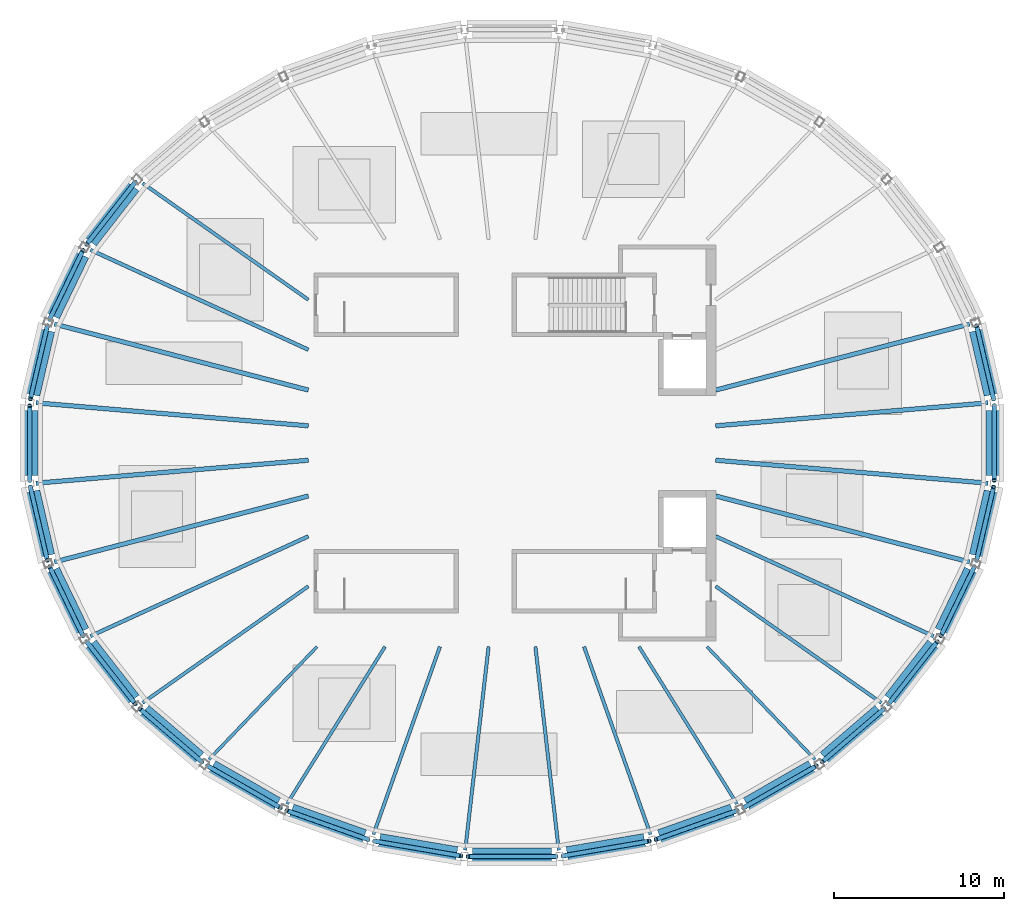
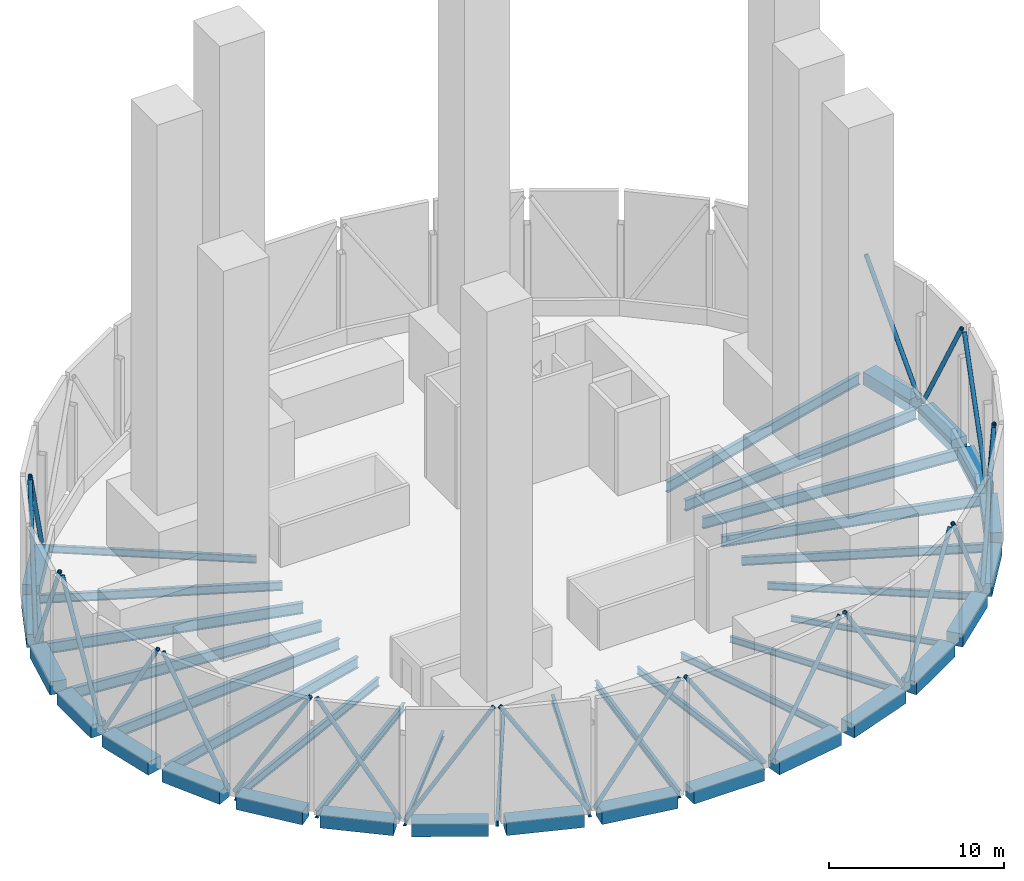
# One storey, part 3 of 7: 43 beams, 21 members.
"""IFC4 building model written with IfcOpenShell, lengths in metres."""

from ifc_helpers import new_model, si_unit, direction, frame, origin, origin_2d, place, context, subcontext, project, spatial, rectangle, hollow_circle, i_section, extrude, material, material_profile, profile_set, type_object, element, save


model = new_model("IFC4")

# Units and contexts
model_context = context("Model", 3, precision=1e-05, world=origin(), true_north=direction((0.0, 1.0)))
body_context = subcontext(model_context, "Body", "Model", "MODEL_VIEW")
ifc_project = project(units=[si_unit("LENGTHUNIT", "METRE"), si_unit("AREAUNIT", "SQUARE_METRE"), si_unit("VOLUMEUNIT", "CUBIC_METRE"), si_unit("PLANEANGLEUNIT", "RADIAN"), si_unit("MASSUNIT", "GRAM", prefix="KILO")], contexts=[model_context])

# Site, building, storey
site_placement = place(None, origin())
site = spatial("IfcSite", under=ifc_project, at=site_placement, CompositionType="ELEMENT")
building_placement = place(site_placement, origin())
building = spatial("IfcBuilding", under=site, at=building_placement, Name="Halqa Exchange Tower", CompositionType="ELEMENT")
storey_placement = place(building_placement, frame((0.0, 0.0, 349.300048828125)))
storey = spatial("IfcBuildingStorey", under=building, at=storey_placement, Name="Roof crown", CompositionType="ELEMENT", Elevation=349.300048828125)

# Members
ifc_material_1 = material(Name="Steel S355", Category="steel")
ifc_material_profile_1 = material_profile(ifc_material_1, hollow_circle(Radius=0.136474609375, WallThickness=0.01611328125, at=origin_2d()), Name="CHS 273x16")
ifc_profile_set_1 = profile_set([ifc_material_profile_1], Name="Steel S355")
member_type = type_object("IfcMemberType", Name="CROWN FRAME brace CHS 273x16", PredefinedType="BRACE", material=ifc_profile_set_1)
member_1_placement = place(storey_placement, frame((28.31982421875, 2.57958984375, 0.0), z_axis=(-0.111844853158, 0.482004533759, 0.869000781506), x_axis=(-0.974119033912, -0.22603563385, 0.0)))
element("IfcMember", 1, at=member_1_placement, inside=storey, type_object=member_type, Name="Crown frame brace 1.1", PredefinedType="BRACE", context=body_context, shape_type="SweptSolid", body=[
    extrude(hollow_circle(Radius=0.136474609375, WallThickness=0.01611328125, at=origin_2d()), origin(), (0.0, 0.0, 1.0), 8.975830078125),
])
member_2_placement = place(storey_placement, frame((-22.147705078125, 15.347412109375, 0.0), z_axis=(-0.315752772616, -0.405050890244, 0.858040769951), x_axis=(0.788678776102, -0.614805488041, 0.0)))
element("IfcMember", 2, at=member_2_placement, inside=storey, type_object=member_type, Name="Crown frame brace 1.13", PredefinedType="BRACE", context=body_context, shape_type="SweptSolid", body=[
    extrude(hollow_circle(Radius=0.136474609375, WallThickness=0.01611328125, at=origin_2d()), origin(), (0.0, 0.0, 1.0), 9.090576171875),
])
member_3_placement = place(storey_placement, frame((-25.217529296875, 11.344482421875, 7.800048828125), z_axis=(-0.218648714655, -0.452478361108, -0.864555418877), x_axis=(0.900387276879, -0.435089360516, 0.0)))
element("IfcMember", 3, at=member_3_placement, inside=storey, type_object=member_type, Name="Crown frame brace 1.14", PredefinedType="BRACE", context=body_context, shape_type="SweptSolid", body=[
    extrude(hollow_circle(Radius=0.136474609375, WallThickness=0.01611328125, at=origin_2d()), origin(), (0.0, 0.0, 1.0), 9.02197265625),
])
member_4_placement = place(storey_placement, frame((-27.31591796875, 6.906005859375, 0.0), z_axis=(-0.111844853158, -0.482004533759, 0.869000781506), x_axis=(0.974119033912, -0.22603563385, 0.0)))
element("IfcMember", 4, at=member_4_placement, inside=storey, type_object=member_type, Name="Crown frame brace 1.15", PredefinedType="BRACE", context=body_context, shape_type="SweptSolid", body=[
    extrude(hollow_circle(Radius=0.136474609375, WallThickness=0.01611328125, at=origin_2d()), origin(), (0.0, 0.0, 1.0), 8.975830078125),
])
member_5_placement = place(storey_placement, frame((-28.36279296875, 2.204345703125, 7.800048828125), z_axis=(0.0, -0.49205456304, -0.8705643612), x_axis=(1.0, 0.0, 0.0)))
element("IfcMember", 5, at=member_5_placement, inside=storey, type_object=member_type, Name="Crown frame brace 1.16", PredefinedType="BRACE", context=body_context, shape_type="SweptSolid", body=[
    extrude(hollow_circle(Radius=0.136474609375, WallThickness=0.01611328125, at=origin_2d()), origin(), (0.0, 0.0, 1.0), 8.959716796875),
])
member_6_placement = place(storey_placement, frame((-28.31982421875, -2.57958984375, 0.0), z_axis=(0.111844853158, -0.482004533759, 0.869000781506), x_axis=(0.974119033912, 0.22603563385, 0.0)))
element("IfcMember", 6, at=member_6_placement, inside=storey, type_object=member_type, Name="Crown frame brace 1.17", PredefinedType="BRACE", context=body_context, shape_type="SweptSolid", body=[
    extrude(hollow_circle(Radius=0.136474609375, WallThickness=0.01611328125, at=origin_2d()), origin(), (0.0, 0.0, 1.0), 8.975830078125),
])
member_7_placement = place(storey_placement, frame((-27.190185546875, -7.26220703125, 7.800048828125), z_axis=(0.218648714655, -0.452478361108, -0.864555418877), x_axis=(0.900387276879, 0.435089360516, 0.0)))
element("IfcMember", 7, at=member_7_placement, inside=storey, type_object=member_type, Name="Crown frame brace 1.18", PredefinedType="BRACE", context=body_context, shape_type="SweptSolid", body=[
    extrude(hollow_circle(Radius=0.136474609375, WallThickness=0.01611328125, at=origin_2d()), origin(), (0.0, 0.0, 1.0), 9.02197265625),
])
member_8_placement = place(storey_placement, frame((-25.01806640625, -11.665283203125, 0.0), z_axis=(0.315752772616, -0.405050890244, 0.858040769951), x_axis=(0.788678776102, 0.614805488041, 0.0)))
element("IfcMember", 8, at=member_8_placement, inside=storey, type_object=member_type, Name="Crown frame brace 1.19", PredefinedType="BRACE", context=body_context, shape_type="SweptSolid", body=[
    extrude(hollow_circle(Radius=0.136474609375, WallThickness=0.01611328125, at=origin_2d()), origin(), (0.0, 0.0, 1.0), 9.090576171875),
])
member_9_placement = place(storey_placement, frame((-21.886474609375, -15.62109375, 7.800048828125), z_axis=(0.399297965651, -0.342274414586, -0.850534749288), x_axis=(0.650812216448, 0.759238736447, 0.0)))
element("IfcMember", 9, at=member_9_placement, inside=storey, type_object=member_type, Name="Crown frame brace 1.20", PredefinedType="BRACE", context=body_context, shape_type="SweptSolid", body=[
    extrude(hollow_circle(Radius=0.136474609375, WallThickness=0.01611328125, at=origin_2d()), origin(), (0.0, 0.0, 1.0), 9.170654296875),
])
member_10_placement = place(storey_placement, frame((-17.915283203125, -18.97802734375, 0.0), z_axis=(0.466525248598, -0.267189094123, 0.843186919017), x_axis=(0.496984556947, 0.867759384943, 0.0)))
element("IfcMember", 10, at=member_10_placement, inside=storey, type_object=member_type, Name="Crown frame brace 1.21", PredefinedType="BRACE", context=body_context, shape_type="SweptSolid", body=[
    extrude(hollow_circle(Radius=0.136474609375, WallThickness=0.01611328125, at=origin_2d()), origin(), (0.0, 0.0, 1.0), 9.250732421875),
])
member_11_placement = place(storey_placement, frame((-13.255615234375, -21.607666015625, 7.800048828125), z_axis=(0.515512799121, -0.183016869218, -0.837108941252), x_axis=(0.334560791797, 0.942374170164, 0.0)))
element("IfcMember", 11, at=member_11_placement, inside=storey, type_object=member_type, Name="Crown frame brace 1.22", PredefinedType="BRACE", context=body_context, shape_type="SweptSolid", body=[
    extrude(hollow_circle(Radius=0.136474609375, WallThickness=0.01611328125, at=origin_2d()), origin(), (0.0, 0.0, 1.0), 9.31787109375),
])
member_12_placement = place(storey_placement, frame((-8.085693359375, -23.40869140625, 0.0), z_axis=(0.545249832877, -0.092961054721, 0.833103152108), x_axis=(0.168067416098, 0.985775503675, 0.0)))
element("IfcMember", 12, at=member_12_placement, inside=storey, type_object=member_type, Name="Crown frame brace 1.23", PredefinedType="BRACE", context=body_context, shape_type="SweptSolid", body=[
    extrude(hollow_circle(Radius=0.136474609375, WallThickness=0.01611328125, at=origin_2d()), origin(), (0.0, 0.0, 1.0), 9.362548828125),
])
member_13_placement = place(storey_placement, frame((-2.603515625, -24.31103515625, 7.800048828125), z_axis=(0.555216730171, 0.0, -0.831705706688), x_axis=(0.0, 1.0, 0.0)))
element("IfcMember", 13, at=member_13_placement, inside=storey, type_object=member_type, Name="Crown frame brace 1.24", PredefinedType="BRACE", context=body_context, shape_type="SweptSolid", body=[
    extrude(hollow_circle(Radius=0.136474609375, WallThickness=0.01611328125, at=origin_2d()), origin(), (0.0, 0.0, 1.0), 9.37841796875),
])
member_14_placement = place(storey_placement, frame((2.980712890625, -24.279052734375, 0.0), z_axis=(0.545249832877, 0.092961054721, 0.833103152108), x_axis=(-0.168067416098, 0.985775503675, 0.0)))
element("IfcMember", 14, at=member_14_placement, inside=storey, type_object=member_type, Name="Crown frame brace 1.25", PredefinedType="BRACE", context=body_context, shape_type="SweptSolid", body=[
    extrude(hollow_circle(Radius=0.136474609375, WallThickness=0.01611328125, at=origin_2d()), origin(), (0.0, 0.0, 1.0), 9.362548828125),
])
member_15_placement = place(storey_placement, frame((8.4521484375, -23.31298828125, 7.800048828125), z_axis=(0.515512799121, 0.183016869218, -0.837108941252), x_axis=(-0.334560791797, 0.942374170164, 0.0)))
element("IfcMember", 15, at=member_15_placement, inside=storey, type_object=member_type, Name="Crown frame brace 1.26", PredefinedType="BRACE", context=body_context, shape_type="SweptSolid", body=[
    extrude(hollow_circle(Radius=0.136474609375, WallThickness=0.01611328125, at=origin_2d()), origin(), (0.0, 0.0, 1.0), 9.31787109375),
])
member_16_placement = place(storey_placement, frame((13.599609375, -21.44970703125, 0.0), z_axis=(0.466525248598, 0.267189094123, 0.843186919017), x_axis=(-0.496984556947, 0.867759384943, 0.0)))
element("IfcMember", 16, at=member_16_placement, inside=storey, type_object=member_type, Name="Crown frame brace 1.27", PredefinedType="BRACE", context=body_context, shape_type="SweptSolid", body=[
    extrude(hollow_circle(Radius=0.136474609375, WallThickness=0.01611328125, at=origin_2d()), origin(), (0.0, 0.0, 1.0), 9.250732421875),
])
member_17_placement = place(storey_placement, frame((18.224609375, -18.760009765625, 7.800048828125), z_axis=(0.399297965651, 0.342274414586, -0.850534749288), x_axis=(-0.650812216448, 0.759238736447, 0.0)))
element("IfcMember", 17, at=member_17_placement, inside=storey, type_object=member_type, Name="Crown frame brace 1.28", PredefinedType="BRACE", context=body_context, shape_type="SweptSolid", body=[
    extrude(hollow_circle(Radius=0.136474609375, WallThickness=0.01611328125, at=origin_2d()), origin(), (0.0, 0.0, 1.0), 9.170654296875),
])
member_18_placement = place(storey_placement, frame((22.147705078125, -15.347412109375, 0.0), z_axis=(0.315752772616, 0.405050890244, 0.858040769951), x_axis=(-0.788678776102, 0.614805488041, 0.0)))
element("IfcMember", 18, at=member_18_placement, inside=storey, type_object=member_type, Name="Crown frame brace 1.29", PredefinedType="BRACE", context=body_context, shape_type="SweptSolid", body=[
    extrude(hollow_circle(Radius=0.136474609375, WallThickness=0.01611328125, at=origin_2d()), origin(), (0.0, 0.0, 1.0), 9.090576171875),
])
member_19_placement = place(storey_placement, frame((25.217529296875, -11.344482421875, 7.800048828125), z_axis=(0.218648714655, 0.452478361108, -0.864555418877), x_axis=(-0.900387276879, 0.435089360516, 0.0)))
element("IfcMember", 19, at=member_19_placement, inside=storey, type_object=member_type, Name="Crown frame brace 1.30", PredefinedType="BRACE", context=body_context, shape_type="SweptSolid", body=[
    extrude(hollow_circle(Radius=0.136474609375, WallThickness=0.01611328125, at=origin_2d()), origin(), (0.0, 0.0, 1.0), 9.02197265625),
])
member_20_placement = place(storey_placement, frame((27.31591796875, -6.906005859375, 0.0), z_axis=(0.111844853158, 0.482004533759, 0.869000781506), x_axis=(-0.974119033912, 0.22603563385, 0.0)))
element("IfcMember", 20, at=member_20_placement, inside=storey, type_object=member_type, Name="Crown frame brace 1.31", PredefinedType="BRACE", context=body_context, shape_type="SweptSolid", body=[
    extrude(hollow_circle(Radius=0.136474609375, WallThickness=0.01611328125, at=origin_2d()), origin(), (0.0, 0.0, 1.0), 8.975830078125),
])
member_21_placement = place(storey_placement, frame((28.36279296875, -2.204345703125, 7.800048828125), z_axis=(0.0, 0.49205456304, -0.8705643612), x_axis=(-1.0, 0.0, 0.0)))
element("IfcMember", 21, at=member_21_placement, inside=storey, type_object=member_type, Name="Crown frame brace 1.32", PredefinedType="BRACE", context=body_context, shape_type="SweptSolid", body=[
    extrude(hollow_circle(Radius=0.136474609375, WallThickness=0.01611328125, at=origin_2d()), origin(), (0.0, 0.0, 1.0), 8.959716796875),
])

# Beams
ifc_material_profile_2 = material_profile(ifc_material_1, i_section(OverallWidth=0.179931640625, OverallDepth=0.39990234375, WebThickness=0.008544921875, FlangeThickness=0.013427734375, FilletRadius=0.02099609375, at=origin_2d()), Name="IPE 400")
ifc_profile_set_2 = profile_set([ifc_material_profile_2], Name="Steel S355")
beam_type_1 = type_object("IfcBeamType", Name="Floor beam IPE 400", PredefinedType="BEAM", material=ifc_profile_set_2)
for number, where, z_axis, x_axis, name in (
    (22, (-11.46240234375, -11.9716796875, -0.550048828125), (-0.691577100122, -0.722302647501, 0.0), (0.722302647501, -0.691577100122, 0.0), "Radial beam 21"),
    (23, (11.46240234375, -11.9716796875, -0.550048828125), (0.691577100122, -0.722302647501, 0.0), (0.722302647501, 0.691577100122, 0.0), "Radial beam 28"),
):
    element("IfcBeam", number, at=place(storey_placement, frame(where, z_axis=z_axis, x_axis=x_axis)), inside=storey, type_object=beam_type_1, Name=name, PredefinedType="BEAM", context=body_context, shape_type="SweptSolid", body=[
        extrude(i_section(OverallWidth=0.179931640625, OverallDepth=0.39990234375, WebThickness=0.008544921875, FlangeThickness=0.013427734375, FilletRadius=0.02099609375, at=origin_2d()), origin(), (0.0, 0.0, 1.0), 9.193359375),
    ])
ifc_material_profile_3 = material_profile(ifc_material_1, i_section(OverallWidth=0.18994140625, OverallDepth=0.449951171875, WebThickness=0.009521484375, FlangeThickness=0.0146484375, FilletRadius=0.02099609375, at=origin_2d()), Name="IPE 450")
ifc_profile_set_3 = profile_set([ifc_material_profile_3], Name="Steel S355")
beam_type_2 = type_object("IfcBeamType", Name="Floor beam IPE 450", PredefinedType="BEAM", material=ifc_profile_set_3)
for number, where, z_axis, x_axis, name in (
    (24, (-7.46630859375, -11.972900390625, -0.574951171875), (-0.529135242535, -0.848537503654, 0.0), (0.848537503654, -0.529135242535, 0.0), "Radial beam 22"),
    (25, (7.46630859375, -11.972900390625, -0.574951171875), (0.529135242535, -0.848537503654, 0.0), (0.848537503654, 0.529135242535, 0.0), "Radial beam 27"),
):
    element("IfcBeam", number, at=place(storey_placement, frame(where, z_axis=z_axis, x_axis=x_axis)), inside=storey, type_object=beam_type_2, Name=name, PredefinedType="BEAM", context=body_context, shape_type="SweptSolid", body=[
        extrude(i_section(OverallWidth=0.18994140625, OverallDepth=0.449951171875, WebThickness=0.009521484375, FlangeThickness=0.0146484375, FilletRadius=0.02099609375, at=origin_2d()), origin(), (0.0, 0.0, 1.0), 10.90380859375),
    ])
ifc_material_profile_4 = material_profile(ifc_material_1, i_section(OverallWidth=0.199951171875, OverallDepth=0.5, WebThickness=0.01025390625, FlangeThickness=0.01611328125, FilletRadius=0.02099609375, at=origin_2d()), Name="IPE 500")
ifc_profile_set_4 = profile_set([ifc_material_profile_4], Name="Steel S355")
beam_type_3 = type_object("IfcBeamType", Name="Floor beam IPE 500", PredefinedType="BEAM", material=ifc_profile_set_4)
for number, where, z_axis, x_axis, name in (
    (26, (-11.971435546875, 8.421142578125, -0.60009765625), (-0.817909915289, 0.575346304822, 0.0), (-0.575346304822, -0.817909915289, 0.0), "Radial beam 13"),
    (27, (-11.971435546875, -8.421142578125, -0.60009765625), (-0.817909915289, -0.575346304822, 0.0), (0.575346304822, -0.817909915289, 0.0), "Radial beam 20"),
):
    element("IfcBeam", number, at=place(storey_placement, frame(where, z_axis=z_axis, x_axis=x_axis)), inside=storey, type_object=beam_type_3, Name=name, PredefinedType="BEAM", context=body_context, shape_type="SweptSolid", body=[
        extrude(i_section(OverallWidth=0.199951171875, OverallDepth=0.5, WebThickness=0.01025390625, FlangeThickness=0.01611328125, FilletRadius=0.02099609375, at=origin_2d()), origin(), (0.0, 0.0, 1.0), 11.923095703125),
    ])
beam_1_placement = place(storey_placement, frame((-4.237060546875, -11.97216796875, -0.60009765625), z_axis=(-0.333610824629, -0.942710887648, 0.0), x_axis=(0.942710887648, -0.333610824629, 0.0)))
element("IfcBeam", 28, at=beam_1_placement, inside=storey, type_object=beam_type_3, Name="Radial beam 23", PredefinedType="BEAM", context=body_context, shape_type="SweptSolid", body=[
    extrude(i_section(OverallWidth=0.199951171875, OverallDepth=0.5, WebThickness=0.01025390625, FlangeThickness=0.01611328125, FilletRadius=0.02099609375, at=origin_2d()), origin(), (0.0, 0.0, 1.0), 11.7236328125),
])
for number, where, z_axis, x_axis, name in (
    (29, (-1.37548828125, -11.97119140625, -0.60009765625), (-0.114158031936, -0.993462603093, 0.0), (0.993462603093, -0.114158031936, 0.0), "Radial beam 24"),
    (30, (1.37548828125, -11.97119140625, -0.60009765625), (0.114158031936, -0.993462603093, 0.0), (0.993462603093, 0.114158031936, 0.0), "Radial beam 25"),
):
    element("IfcBeam", number, at=place(storey_placement, frame(where, z_axis=z_axis, x_axis=x_axis)), inside=storey, type_object=beam_type_3, Name=name, PredefinedType="BEAM", context=body_context, shape_type="SweptSolid", body=[
        extrude(i_section(OverallWidth=0.199951171875, OverallDepth=0.5, WebThickness=0.01025390625, FlangeThickness=0.01611328125, FilletRadius=0.02099609375, at=origin_2d()), origin(), (0.0, 0.0, 1.0), 12.049072265625),
    ])
beam_2_placement = place(storey_placement, frame((4.237060546875, -11.97216796875, -0.60009765625), z_axis=(0.333610824629, -0.942710887648, 0.0), x_axis=(0.942710887648, 0.333610824629, 0.0)))
element("IfcBeam", 31, at=beam_2_placement, inside=storey, type_object=beam_type_3, Name="Radial beam 26", PredefinedType="BEAM", context=body_context, shape_type="SweptSolid", body=[
    extrude(i_section(OverallWidth=0.199951171875, OverallDepth=0.5, WebThickness=0.01025390625, FlangeThickness=0.01611328125, FilletRadius=0.02099609375, at=origin_2d()), origin(), (0.0, 0.0, 1.0), 11.7236328125),
])
beam_3_placement = place(storey_placement, frame((11.971435546875, -8.421142578125, -0.60009765625), z_axis=(0.817909915289, -0.575346304822, 0.0), x_axis=(0.575346304822, 0.817909915289, 0.0)))
element("IfcBeam", 32, at=beam_3_placement, inside=storey, type_object=beam_type_3, Name="Radial beam 29", PredefinedType="BEAM", context=body_context, shape_type="SweptSolid", body=[
    extrude(i_section(OverallWidth=0.199951171875, OverallDepth=0.5, WebThickness=0.01025390625, FlangeThickness=0.01611328125, FilletRadius=0.02099609375, at=origin_2d()), origin(), (0.0, 0.0, 1.0), 11.923095703125),
])
ifc_material_profile_5 = material_profile(ifc_material_1, i_section(OverallWidth=0.219970703125, OverallDepth=0.60009765625, WebThickness=0.011962890625, FlangeThickness=0.01904296875, FilletRadius=0.02392578125, at=origin_2d()), Name="IPE 600")
ifc_profile_set_5 = profile_set([ifc_material_profile_5], Name="Steel S355")
beam_type_4 = type_object("IfcBeamType", Name="Floor beam IPE 600", PredefinedType="BEAM", material=ifc_profile_set_5)
for number, where, z_axis, x_axis, name in (
    (33, (-11.97216796875, 5.485107421875, -0.650146484375), (-0.909129837919, 0.416512830302, 0.0), (-0.416512830302, -0.909129837919, 0.0), "Radial beam 14"),
    (34, (-11.97216796875, -5.485107421875, -0.650146484375), (-0.909129837919, -0.416512830302, 0.0), (0.416512830302, -0.909129837919, 0.0), "Radial beam 19"),
    (35, (11.97216796875, -5.485107421875, -0.650146484375), (0.909129837919, -0.416512830302, 0.0), (0.416512830302, 0.909129837919, 0.0), "Radial beam 30"),
):
    element("IfcBeam", number, at=place(storey_placement, frame(where, z_axis=z_axis, x_axis=x_axis)), inside=storey, type_object=beam_type_4, Name=name, PredefinedType="BEAM", context=body_context, shape_type="SweptSolid", body=[
        extrude(i_section(OverallWidth=0.219970703125, OverallDepth=0.60009765625, WebThickness=0.011962890625, FlangeThickness=0.01904296875, FilletRadius=0.02392578125, at=origin_2d()), origin(), (0.0, 0.0, 1.0), 14.102294921875),
    ])
ifc_material_profile_6 = material_profile(ifc_material_1, i_section(OverallWidth=0.264892578125, OverallDepth=0.7529296875, WebThickness=0.01318359375, FlangeThickness=0.01708984375, FilletRadius=0.01708984375, at=origin_2d()), Name="IPE 750x147")
ifc_profile_set_6 = profile_set([ifc_material_profile_6], Name="Steel S355")
beam_type_5 = type_object("IfcBeamType", Name="Floor beam IPE 750x147", PredefinedType="BEAM", material=ifc_profile_set_6)
beam_4_placement = place(storey_placement, frame((11.972900390625, 1.0107421875, -0.7265625), z_axis=(0.996455843657, 0.08411748713, 0.0), x_axis=(-0.08411748713, 0.996455843657, 0.0)))
element("IfcBeam", 36, at=beam_4_placement, inside=storey, type_object=beam_type_5, Name="Radial beam 1", PredefinedType="BEAM", context=body_context, shape_type="SweptSolid", body=[
    extrude(i_section(OverallWidth=0.264892578125, OverallDepth=0.7529296875, WebThickness=0.01318359375, FlangeThickness=0.01708984375, FilletRadius=0.01708984375, at=origin_2d()), origin(), (0.0, 0.0, 1.0), 16.076171875),
])
for number, where, z_axis, x_axis, name in (
    (37, (11.97265625, 3.113037109375, -0.7265625), (0.967821042963, 0.251639481794, 0.0), (-0.251639481794, 0.967821042963, 0.0), "Radial beam 2"),
    (38, (-11.97265625, 3.113037109375, -0.7265625), (-0.967821042963, 0.251639481794, 0.0), (-0.251639481794, -0.967821042963, 0.0), "Radial beam 15"),
):
    element("IfcBeam", number, at=place(storey_placement, frame(where, z_axis=z_axis, x_axis=x_axis)), inside=storey, type_object=beam_type_5, Name=name, PredefinedType="BEAM", context=body_context, shape_type="SweptSolid", body=[
        extrude(i_section(OverallWidth=0.264892578125, OverallDepth=0.7529296875, WebThickness=0.01318359375, FlangeThickness=0.01708984375, FilletRadius=0.01708984375, at=origin_2d()), origin(), (0.0, 0.0, 1.0), 15.434814453125),
    ])
for number, where, z_axis, x_axis, name in (
    (39, (-11.972900390625, 1.0107421875, -0.7265625), (-0.996455843657, 0.08411748713, 0.0), (-0.08411748713, -0.996455843657, 0.0), "Radial beam 16"),
    (40, (-11.972900390625, -1.0107421875, -0.7265625), (-0.996455843657, -0.08411748713, 0.0), (0.08411748713, -0.996455843657, 0.0), "Radial beam 17"),
):
    element("IfcBeam", number, at=place(storey_placement, frame(where, z_axis=z_axis, x_axis=x_axis)), inside=storey, type_object=beam_type_5, Name=name, PredefinedType="BEAM", context=body_context, shape_type="SweptSolid", body=[
        extrude(i_section(OverallWidth=0.264892578125, OverallDepth=0.7529296875, WebThickness=0.01318359375, FlangeThickness=0.01708984375, FilletRadius=0.01708984375, at=origin_2d()), origin(), (0.0, 0.0, 1.0), 16.076171875),
    ])
for number, where, z_axis, x_axis, name in (
    (41, (-11.97265625, -3.113037109375, -0.7265625), (-0.967821042963, -0.251639481794, 0.0), (0.251639481794, -0.967821042963, 0.0), "Radial beam 18"),
    (42, (11.97265625, -3.113037109375, -0.7265625), (0.967821042963, -0.251639481794, 0.0), (0.251639481794, 0.967821042963, 0.0), "Radial beam 31"),
):
    element("IfcBeam", number, at=place(storey_placement, frame(where, z_axis=z_axis, x_axis=x_axis)), inside=storey, type_object=beam_type_5, Name=name, PredefinedType="BEAM", context=body_context, shape_type="SweptSolid", body=[
        extrude(i_section(OverallWidth=0.264892578125, OverallDepth=0.7529296875, WebThickness=0.01318359375, FlangeThickness=0.01708984375, FilletRadius=0.01708984375, at=origin_2d()), origin(), (0.0, 0.0, 1.0), 15.434814453125),
    ])
beam_5_placement = place(storey_placement, frame((11.972900390625, -1.0107421875, -0.7265625), z_axis=(0.996455843657, -0.08411748713, 0.0), x_axis=(0.08411748713, 0.996455843657, 0.0)))
element("IfcBeam", 43, at=beam_5_placement, inside=storey, type_object=beam_type_5, Name="Radial beam 32", PredefinedType="BEAM", context=body_context, shape_type="SweptSolid", body=[
    extrude(i_section(OverallWidth=0.264892578125, OverallDepth=0.7529296875, WebThickness=0.01318359375, FlangeThickness=0.01708984375, FilletRadius=0.01708984375, at=origin_2d()), origin(), (0.0, 0.0, 1.0), 16.076171875),
])
ifc_material_2 = material(Name="Concrete C60/75", Category="concrete")
ifc_material_profile_7 = material_profile(ifc_material_2, rectangle(XDim=1.0, YDim=0.89990234375, at=origin_2d()), Name="1000 x 900")
ifc_profile_set_7 = profile_set([ifc_material_profile_7], Name="Concrete C60/75")
beam_type_6 = type_object("IfcBeamType", Name="RC spandrel beam 1000 x 900 C60/75", PredefinedType="SPANDREL", material=ifc_profile_set_7)
beam_6_placement = place(storey_placement, frame((28.25537109375, 2.857177734375, -0.449951171875), z_axis=(-0.226093384766, 0.974105631523, 0.0), x_axis=(-0.974105631523, -0.226093384766, 0.0)))
element("IfcBeam", 44, at=beam_6_placement, inside=storey, type_object=beam_type_6, Name="Spandrel 1", PredefinedType="SPANDREL", context=body_context, shape_type="SweptSolid", body=[
    extrude(rectangle(XDim=1.0, YDim=0.89990234375, at=origin_2d()), origin(), (0.0, 0.0, 1.0), 3.872314453125),
])
beam_7_placement = place(storey_placement, frame((-22.322021484375, 15.123779296875, -0.449951171875), z_axis=(-0.61480594236, -0.788678421943, 0.0), x_axis=(0.788678421943, -0.61480594236, 0.0)))
element("IfcBeam", 45, at=beam_7_placement, inside=storey, type_object=beam_type_6, Name="Spandrel 13", PredefinedType="SPANDREL", context=body_context, shape_type="SweptSolid", body=[
    extrude(rectangle(XDim=1.0, YDim=0.89990234375, at=origin_2d()), origin(), (0.0, 0.0, 1.0), 4.10009765625),
])
beam_8_placement = place(storey_placement, frame((-25.34130859375, 11.088623046875, -0.449951171875), z_axis=(-0.43505216676, -0.900405248873, 0.0), x_axis=(0.900405248873, -0.43505216676, 0.0)))
element("IfcBeam", 46, at=beam_8_placement, inside=storey, type_object=beam_type_6, Name="Spandrel 14", PredefinedType="SPANDREL", context=body_context, shape_type="SweptSolid", body=[
    extrude(rectangle(XDim=1.0, YDim=0.89990234375, at=origin_2d()), origin(), (0.0, 0.0, 1.0), 3.964111328125),
])
beam_9_placement = place(storey_placement, frame((-27.3798828125, 6.629150390625, -0.449951171875), z_axis=(-0.226093384766, -0.974105631523, 0.0), x_axis=(0.974105631523, -0.226093384766, 0.0)))
element("IfcBeam", 47, at=beam_9_placement, inside=storey, type_object=beam_type_6, Name="Spandrel 15", PredefinedType="SPANDREL", context=body_context, shape_type="SweptSolid", body=[
    extrude(rectangle(XDim=1.0, YDim=0.89990234375, at=origin_2d()), origin(), (0.0, 0.0, 1.0), 3.872314453125),
])
beam_10_placement = place(storey_placement, frame((-28.36279296875, 1.919189453125, -0.449951171875), z_axis=(0.0, -1.0, 0.0), x_axis=(1.0, 0.0, 0.0)))
element("IfcBeam", 48, at=beam_10_placement, inside=storey, type_object=beam_type_6, Name="Spandrel 16", PredefinedType="SPANDREL", context=body_context, shape_type="SweptSolid", body=[
    extrude(rectangle(XDim=1.0, YDim=0.89990234375, at=origin_2d()), origin(), (0.0, 0.0, 1.0), 3.83837890625),
])
beam_11_placement = place(storey_placement, frame((-28.25537109375, -2.857177734375, -0.449951171875), z_axis=(0.226093384766, -0.974105631523, 0.0), x_axis=(0.974105631523, 0.226093384766, 0.0)))
element("IfcBeam", 49, at=beam_11_placement, inside=storey, type_object=beam_type_6, Name="Spandrel 17", PredefinedType="SPANDREL", context=body_context, shape_type="SweptSolid", body=[
    extrude(rectangle(XDim=1.0, YDim=0.89990234375, at=origin_2d()), origin(), (0.0, 0.0, 1.0), 3.872314453125),
])
beam_12_placement = place(storey_placement, frame((-27.06591796875, -7.519287109375, -0.449951171875), z_axis=(0.43505216676, -0.900405248873, 0.0), x_axis=(0.900405248873, 0.43505216676, 0.0)))
element("IfcBeam", 50, at=beam_12_placement, inside=storey, type_object=beam_type_6, Name="Spandrel 18", PredefinedType="SPANDREL", context=body_context, shape_type="SweptSolid", body=[
    extrude(rectangle(XDim=1.0, YDim=0.89990234375, at=origin_2d()), origin(), (0.0, 0.0, 1.0), 3.964111328125),
])
beam_13_placement = place(storey_placement, frame((-24.8427734375, -11.89013671875, -0.449951171875), z_axis=(0.61480594236, -0.788678421943, 0.0), x_axis=(0.788678421943, 0.61480594236, 0.0)))
element("IfcBeam", 51, at=beam_13_placement, inside=storey, type_object=beam_type_6, Name="Spandrel 19", PredefinedType="SPANDREL", context=body_context, shape_type="SweptSolid", body=[
    extrude(rectangle(XDim=1.0, YDim=0.89990234375, at=origin_2d()), origin(), (0.0, 0.0, 1.0), 4.10009765625),
])
beam_14_placement = place(storey_placement, frame((-21.670654296875, -15.805908203125, -0.449951171875), z_axis=(0.759232294843, -0.65081973116, 0.0), x_axis=(0.65081973116, 0.759232294843, 0.0)))
element("IfcBeam", 52, at=beam_14_placement, inside=storey, type_object=beam_type_6, Name="Spandrel 20", PredefinedType="SPANDREL", context=body_context, shape_type="SweptSolid", body=[
    extrude(rectangle(XDim=1.0, YDim=0.89990234375, at=origin_2d()), origin(), (0.0, 0.0, 1.0), 4.25390625),
])
beam_15_placement = place(storey_placement, frame((-17.669189453125, -19.119140625, -0.449951171875), z_axis=(0.86778573249, -0.49693855001, 0.0), x_axis=(0.49693855001, 0.86778573249, 0.0)))
element("IfcBeam", 53, at=beam_15_placement, inside=storey, type_object=beam_type_6, Name="Spandrel 21", PredefinedType="SPANDREL", context=body_context, shape_type="SweptSolid", body=[
    extrude(rectangle(XDim=1.0, YDim=0.89990234375, at=origin_2d()), origin(), (0.0, 0.0, 1.0), 4.40478515625),
])
beam_16_placement = place(storey_placement, frame((-12.98828125, -21.70263671875, -0.449951171875), z_axis=(0.94236088808, -0.334598201755, 0.0), x_axis=(0.334598201755, 0.94236088808, 0.0)))
element("IfcBeam", 54, at=beam_16_placement, inside=storey, type_object=beam_type_6, Name="Spandrel 22", PredefinedType="SPANDREL", context=body_context, shape_type="SweptSolid", body=[
    extrude(rectangle(XDim=1.0, YDim=0.89990234375, at=origin_2d()), origin(), (0.0, 0.0, 1.0), 4.530517578125),
])
beam_17_placement = place(storey_placement, frame((-7.805419921875, -23.456298828125, -0.449951171875), z_axis=(0.985773042695, -0.168081849987, 0.0), x_axis=(0.168081849987, 0.985773042695, 0.0)))
element("IfcBeam", 55, at=beam_17_placement, inside=storey, type_object=beam_type_6, Name="Spandrel 23", PredefinedType="SPANDREL", context=body_context, shape_type="SweptSolid", body=[
    extrude(rectangle(XDim=1.0, YDim=0.89990234375, at=origin_2d()), origin(), (0.0, 0.0, 1.0), 4.6103515625),
])
beam_18_placement = place(storey_placement, frame((-2.319580078125, -24.31103515625, -0.449951171875), z_axis=(1.0, 0.0, 0.0), x_axis=(0.0, 1.0, 0.0)))
element("IfcBeam", 56, at=beam_18_placement, inside=storey, type_object=beam_type_6, Name="Spandrel 24", PredefinedType="SPANDREL", context=body_context, shape_type="SweptSolid", body=[
    extrude(rectangle(XDim=1.0, YDim=0.89990234375, at=origin_2d()), origin(), (0.0, 0.0, 1.0), 4.63916015625),
])
beam_19_placement = place(storey_placement, frame((3.2607421875, -24.231201171875, -0.449951171875), z_axis=(0.985773042695, 0.168081849987, 0.0), x_axis=(-0.168081849987, 0.985773042695, 0.0)))
element("IfcBeam", 57, at=beam_19_placement, inside=storey, type_object=beam_type_6, Name="Spandrel 25", PredefinedType="SPANDREL", context=body_context, shape_type="SweptSolid", body=[
    extrude(rectangle(XDim=1.0, YDim=0.89990234375, at=origin_2d()), origin(), (0.0, 0.0, 1.0), 4.6103515625),
])
beam_20_placement = place(storey_placement, frame((8.718994140625, -23.218505859375, -0.449951171875), z_axis=(0.94236088808, 0.334598201755, 0.0), x_axis=(-0.334598201755, 0.94236088808, 0.0)))
element("IfcBeam", 58, at=beam_20_placement, inside=storey, type_object=beam_type_6, Name="Spandrel 26", PredefinedType="SPANDREL", context=body_context, shape_type="SweptSolid", body=[
    extrude(rectangle(XDim=1.0, YDim=0.89990234375, at=origin_2d()), origin(), (0.0, 0.0, 1.0), 4.530517578125),
])
beam_21_placement = place(storey_placement, frame((13.8466796875, -21.30810546875, -0.449951171875), z_axis=(0.86778573249, 0.49693855001, 0.0), x_axis=(-0.49693855001, 0.86778573249, 0.0)))
element("IfcBeam", 59, at=beam_21_placement, inside=storey, type_object=beam_type_6, Name="Spandrel 27", PredefinedType="SPANDREL", context=body_context, shape_type="SweptSolid", body=[
    extrude(rectangle(XDim=1.0, YDim=0.89990234375, at=origin_2d()), origin(), (0.0, 0.0, 1.0), 4.40478515625),
])
beam_22_placement = place(storey_placement, frame((18.44091796875, -18.574462890625, -0.449951171875), z_axis=(0.759232294843, 0.65081973116, 0.0), x_axis=(-0.65081973116, 0.759232294843, 0.0)))
element("IfcBeam", 60, at=beam_22_placement, inside=storey, type_object=beam_type_6, Name="Spandrel 28", PredefinedType="SPANDREL", context=body_context, shape_type="SweptSolid", body=[
    extrude(rectangle(XDim=1.0, YDim=0.89990234375, at=origin_2d()), origin(), (0.0, 0.0, 1.0), 4.25390625),
])
beam_23_placement = place(storey_placement, frame((22.322021484375, -15.123779296875, -0.449951171875), z_axis=(0.61480594236, 0.788678421943, 0.0), x_axis=(-0.788678421943, 0.61480594236, 0.0)))
element("IfcBeam", 61, at=beam_23_placement, inside=storey, type_object=beam_type_6, Name="Spandrel 29", PredefinedType="SPANDREL", context=body_context, shape_type="SweptSolid", body=[
    extrude(rectangle(XDim=1.0, YDim=0.89990234375, at=origin_2d()), origin(), (0.0, 0.0, 1.0), 4.10009765625),
])
beam_24_placement = place(storey_placement, frame((25.34130859375, -11.088623046875, -0.449951171875), z_axis=(0.43505216676, 0.900405248873, 0.0), x_axis=(-0.900405248873, 0.43505216676, 0.0)))
element("IfcBeam", 62, at=beam_24_placement, inside=storey, type_object=beam_type_6, Name="Spandrel 30", PredefinedType="SPANDREL", context=body_context, shape_type="SweptSolid", body=[
    extrude(rectangle(XDim=1.0, YDim=0.89990234375, at=origin_2d()), origin(), (0.0, 0.0, 1.0), 3.964111328125),
])
beam_25_placement = place(storey_placement, frame((27.3798828125, -6.629150390625, -0.449951171875), z_axis=(0.226093384766, 0.974105631523, 0.0), x_axis=(-0.974105631523, 0.226093384766, 0.0)))
element("IfcBeam", 63, at=beam_25_placement, inside=storey, type_object=beam_type_6, Name="Spandrel 31", PredefinedType="SPANDREL", context=body_context, shape_type="SweptSolid", body=[
    extrude(rectangle(XDim=1.0, YDim=0.89990234375, at=origin_2d()), origin(), (0.0, 0.0, 1.0), 3.872314453125),
])
beam_26_placement = place(storey_placement, frame((28.36279296875, -1.919189453125, -0.449951171875), z_axis=(0.0, 1.0, 0.0), x_axis=(-1.0, 0.0, 0.0)))
element("IfcBeam", 64, at=beam_26_placement, inside=storey, type_object=beam_type_6, Name="Spandrel 32", PredefinedType="SPANDREL", context=body_context, shape_type="SweptSolid", body=[
    extrude(rectangle(XDim=1.0, YDim=0.89990234375, at=origin_2d()), origin(), (0.0, 0.0, 1.0), 3.83837890625),
])

save(model, "model.ifc")
